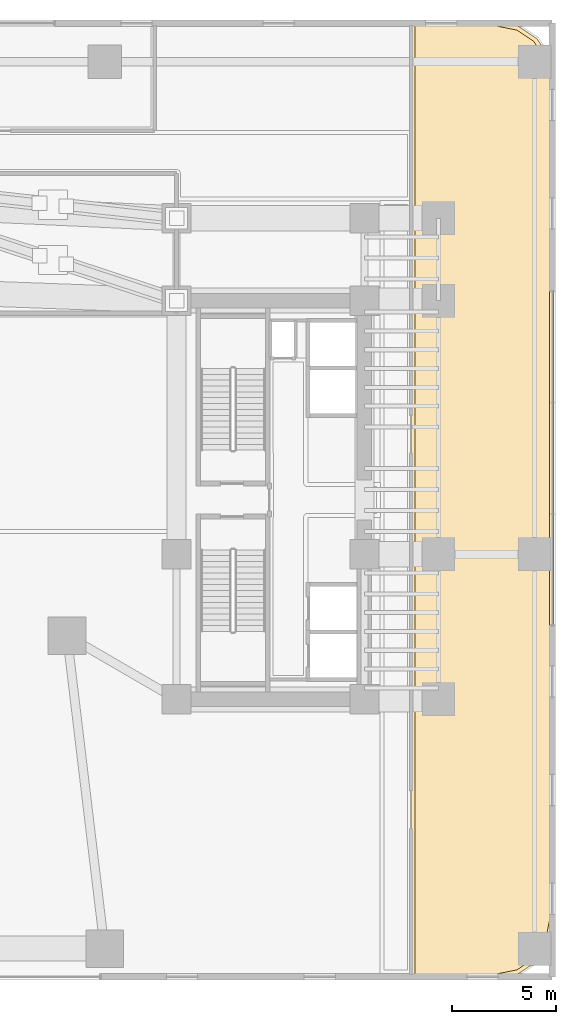
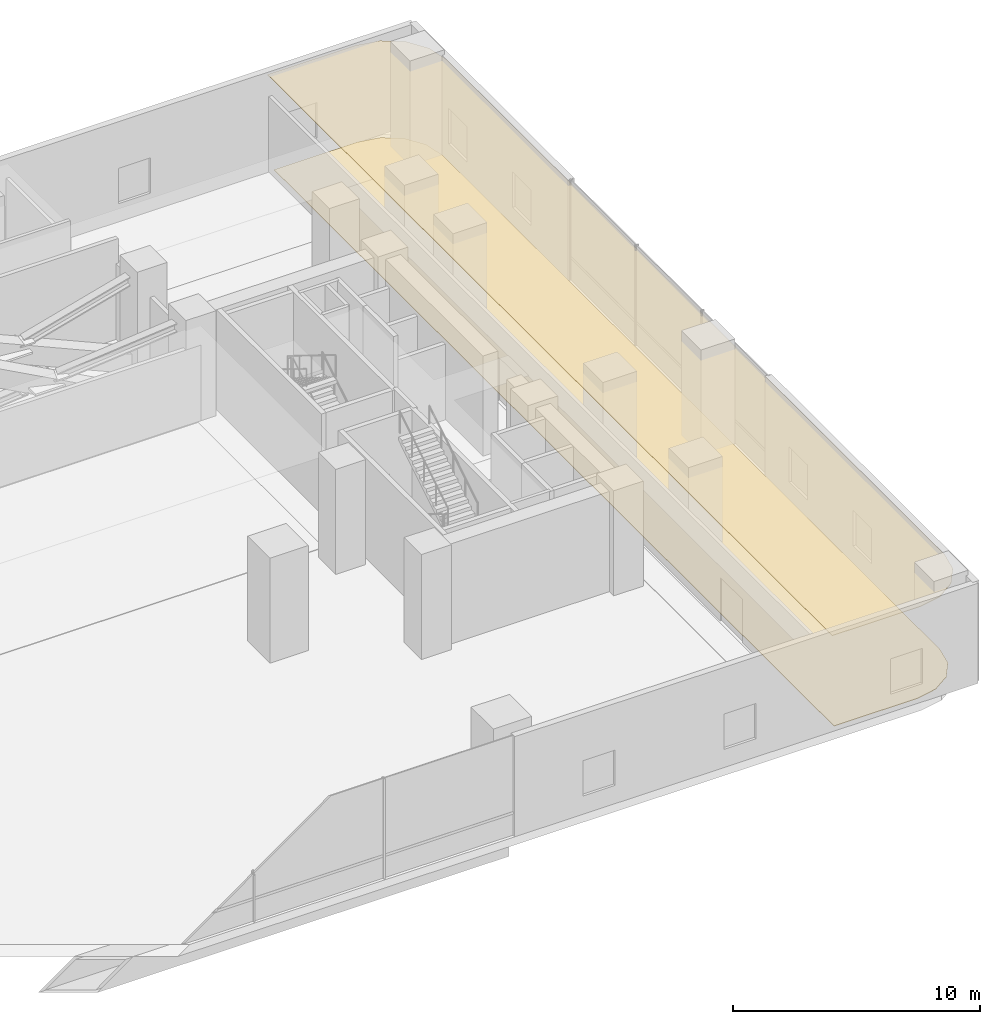
# One storey, part 41 of 41: 2 coverings.
"""IFC4 building model written with IfcOpenShell, lengths in metres."""

from ifc_helpers import new_model, si_unit, direction, frame, origin, place, context, subcontext, project, spatial, polyline, outline, extrude, material, layer, layer_set, type_object, element, save


model = new_model("IFC4")

# Units and contexts
model_context = context("Model", 3, precision=1e-05, world=origin(), true_north=direction((0.0, 1.0)))
body_context = subcontext(model_context, "Body", "Model", "MODEL_VIEW")
ifc_project = project(units=[si_unit("LENGTHUNIT", "METRE"), si_unit("AREAUNIT", "SQUARE_METRE"), si_unit("VOLUMEUNIT", "CUBIC_METRE"), si_unit("PLANEANGLEUNIT", "RADIAN"), si_unit("MASSUNIT", "GRAM", prefix="KILO")], contexts=[model_context])

# Site, building, storey
site_placement = place(None, origin())
site = spatial("IfcSite", under=ifc_project, at=site_placement, CompositionType="ELEMENT")
building_placement = place(site_placement, origin())
building = spatial("IfcBuilding", under=site, at=building_placement, Name="Valdorenza Pilgrim Sanctuary Tower", CompositionType="ELEMENT")
storey_placement = place(building_placement, frame((0.0, 0.0, 20.800048828125)))
storey = spatial("IfcBuildingStorey", under=building, at=storey_placement, Name="L04", CompositionType="ELEMENT", Elevation=20.800048828125)

# Coverings
ifc_material_1 = material(Name="Micro-perforated acoustic mineral ceiling tile", Category="gypsum")
ifc_layer_1 = layer(ifc_material_1, 0.02490234375, Name="Micro-perforated acoustic mineral ceiling tile")
ifc_layer_set_1 = layer_set([ifc_layer_1], Name="Micro-perforated acoustic mineral ceiling tile")
covering_type_1 = type_object("IfcCoveringType", Name="COV-CLG-ACU", PredefinedType="CEILING", material=ifc_layer_set_1)
covering_1_placement = place(storey_placement, frame((0.0, 0.0, 4.659912109375)))
element("IfcCovering", 1, at=covering_1_placement, inside=storey, type_object=covering_type_1, Name="L04 Pilgrim Medical Clinic Office Acoustic Ceiling", PredefinedType="CEILING", context=body_context, shape_type="SweptSolid", body=[
    extrude(outline(polyline([(31.189208984375, 22.905029296875), (31.190673828125, 22.90478515625), (31.192138671875, 22.90478515625), (32.2314453125, 22.697998046875), (32.23291015625, 22.697509765625), (32.234375, 22.697021484375), (32.235595703125, 22.696533203125), (32.23681640625, 22.69580078125), (33.10888671875, 22.113037109375), (33.110107421875, 22.1123046875), (33.111083984375, 22.111083984375), (33.1123046875, 22.110107421875), (33.113037109375, 22.10888671875), (33.69580078125, 21.23681640625), (33.696533203125, 21.235595703125), (33.697021484375, 21.234375), (33.697509765625, 21.23291015625), (33.697998046875, 21.2314453125), (33.90478515625, 20.192138671875), (33.90478515625, 20.190673828125), (33.905029296875, 20.189208984375), (33.905029296875, -20.189208984375), (33.90478515625, -20.190673828125), (33.90478515625, -20.192138671875), (33.697998046875, -21.2314453125), (33.697509765625, -21.23291015625), (33.697021484375, -21.234375), (33.696533203125, -21.235595703125), (33.69580078125, -21.23681640625), (33.113037109375, -22.10888671875), (33.1123046875, -22.110107421875), (33.111083984375, -22.111083984375), (33.110107421875, -22.1123046875), (33.10888671875, -22.113037109375), (32.23681640625, -22.69580078125), (32.235595703125, -22.696533203125), (32.234375, -22.697021484375), (32.23291015625, -22.697509765625), (32.2314453125, -22.697998046875), (31.192138671875, -22.90478515625), (31.190673828125, -22.90478515625), (31.189208984375, -22.905029296875), (27.10009765625, -22.905029296875), (27.098388671875, -22.90478515625), (27.09716796875, -22.90478515625), (27.095703125, -22.904296875), (27.09423828125, -22.90380859375), (27.093017578125, -22.9033203125), (27.091796875, -22.902587890625), (27.090576171875, -22.901611328125), (27.08935546875, -22.900634765625), (27.08837890625, -22.8994140625), (27.08740234375, -22.898193359375), (27.0869140625, -22.897216796875), (27.086181640625, -22.895751953125), (27.085693359375, -22.894287109375), (27.085205078125, -22.892822265625), (27.085205078125, -22.8916015625), (27.0849609375, -22.889892578125), (27.0849609375, 22.889892578125), (27.085205078125, 22.8916015625), (27.085205078125, 22.892822265625), (27.085693359375, 22.894287109375), (27.086181640625, 22.895751953125), (27.0869140625, 22.897216796875), (27.08740234375, 22.898193359375), (27.08837890625, 22.8994140625), (27.08935546875, 22.900634765625), (27.090576171875, 22.901611328125), (27.091796875, 22.902587890625), (27.093017578125, 22.9033203125), (27.09423828125, 22.90380859375), (27.095703125, 22.904296875), (27.09716796875, 22.90478515625), (27.098388671875, 22.90478515625), (27.10009765625, 22.905029296875), (31.189208984375, 22.905029296875)])), origin(), (0.0, 0.0, 1.0), 0.025146484375),
])
ifc_material_2 = material(Name="Honed travertine stone flooring", Category="masonry")
ifc_layer_2 = layer(ifc_material_2, 0.030029296875, Name="Honed travertine stone flooring")
ifc_layer_set_2 = layer_set([ifc_layer_2], Name="Honed travertine stone flooring")
covering_type_2 = type_object("IfcCoveringType", Name="COV-FLR-TRV", PredefinedType="FLOORING", material=ifc_layer_set_2)
covering_2_placement = place(storey_placement, origin())
element("IfcCovering", 2, at=covering_2_placement, inside=storey, type_object=covering_type_2, Name="L04 Pilgrim Medical Clinic Office Flooring", PredefinedType="FLOORING", context=body_context, shape_type="SweptSolid", body=[
    extrude(outline(polyline([(31.17138671875, 22.7099609375), (32.158203125, 22.513671875), (32.970703125, 21.970703125), (33.513671875, 21.158203125), (33.7099609375, 20.17138671875), (33.7099609375, -20.17138671875), (33.513671875, -21.158203125), (32.970703125, -21.970703125), (32.158203125, -22.513671875), (31.17138671875, -22.7099609375), (27.280029296875, -22.7099609375), (27.280029296875, 22.7099609375), (31.17138671875, 22.7099609375)])), origin(), (0.0, 0.0, 1.0), 0.02490234375),
])

save(model, "model.ifc")
